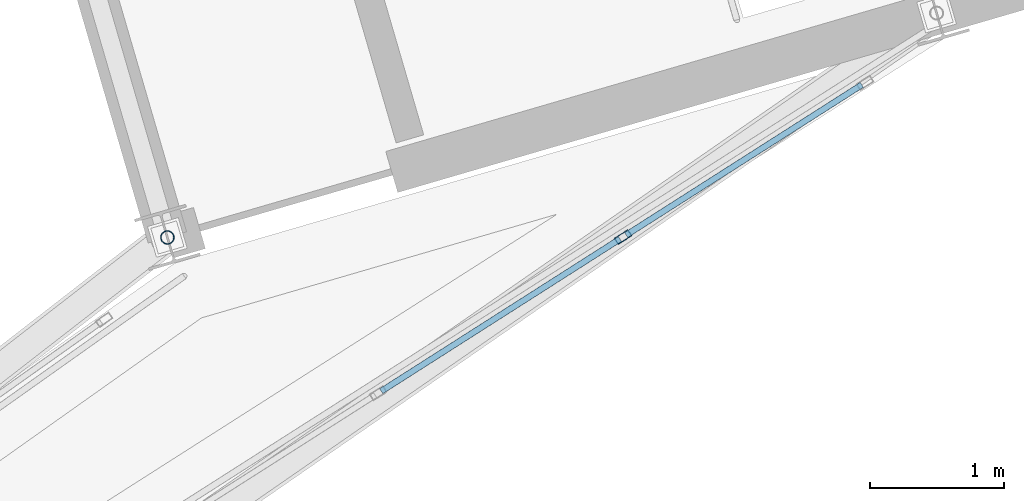
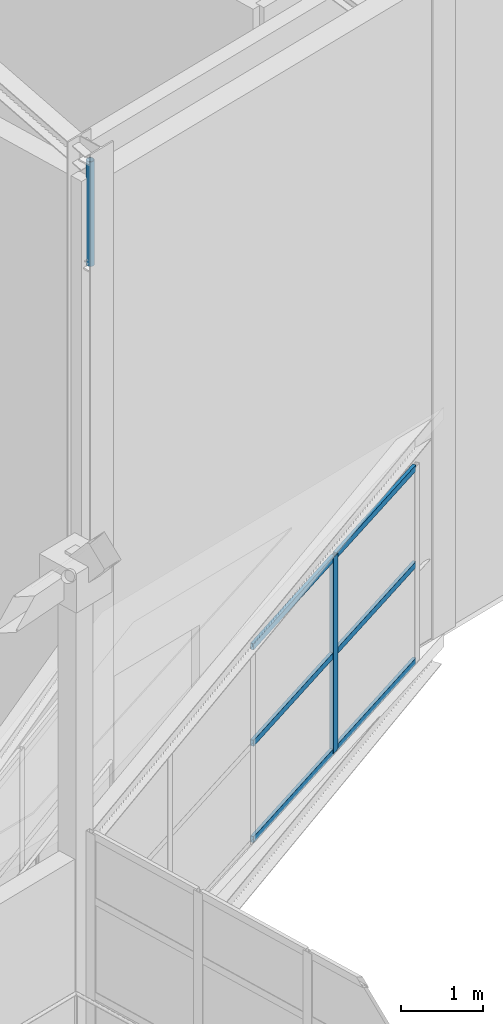
# One storey, part 133 of 248: 8 members, 1 element without a shape of its own.
"""IFC4 building model written with IfcOpenShell, lengths in metres."""

from ifc_helpers import new_model, si_unit, direction, frame, origin, origin_2d, place, context, subcontext, project, spatial, hollow_rectangle, hollow_circle, extrude, material, layer, layer_set, material_profile, profile_set, type_object, element, aggregate, save


model = new_model("IFC4")

# Units and contexts
model_context = context("Model", 3, precision=1e-05, world=origin(), true_north=direction((0.0, 1.0)))
body_context = subcontext(model_context, "Body", "Model", "MODEL_VIEW")
ifc_project = project(units=[si_unit("LENGTHUNIT", "METRE"), si_unit("AREAUNIT", "SQUARE_METRE"), si_unit("VOLUMEUNIT", "CUBIC_METRE"), si_unit("PLANEANGLEUNIT", "RADIAN"), si_unit("MASSUNIT", "GRAM", prefix="KILO")], contexts=[model_context])

# Site, building, storey
site_placement = place(None, origin())
site = spatial("IfcSite", under=ifc_project, at=site_placement, CompositionType="ELEMENT")
building_placement = place(site_placement, origin())
building = spatial("IfcBuilding", under=site, at=building_placement, Name="Canggui Botanical Conservatory", CompositionType="ELEMENT")
storey_placement = place(building_placement, frame((0.0, 0.0, 5.39990234375)))
storey = spatial("IfcBuildingStorey", under=building, at=storey_placement, Name="L02", CompositionType="ELEMENT", Elevation=5.39990234375)

# Curtain wall, members
ifc_material_1 = material(Name="Thermally Broken Aluminium", Category="aluminium")
ifc_layer = layer(ifc_material_1, 0.1201171875, Name="Thermally Broken Aluminium", Category="aluminium")
ifc_layer_set = layer_set([ifc_layer], Name="Thermally Broken Aluminium")
curtain_wall_type = type_object("IfcCurtainWallType", Name="CW-STICK-B", PredefinedType="USERDEFINED", material=ifc_layer_set)
curtain_wall_placement = place(storey_placement, origin())
curtain_wall = element("IfcCurtainWall", 1, at=curtain_wall_placement, inside=storey, type_object=curtain_wall_type, Name="Facade Curtain Wall CW-SB-03-2", ObjectType="STICK GLAZED WALL", PredefinedType="USERDEFINED")
ifc_material_profile_1 = material_profile(ifc_material_1, hollow_rectangle(XDim=0.054931640625, YDim=0.1201171875, WallThickness=0.0029296875, at=origin_2d()), Name="CWM 55x120x3")
ifc_profile_set_1 = profile_set([ifc_material_profile_1], Name="Thermally Broken Aluminium")
member_type_1 = type_object("IfcMemberType", Name="CWM-05", PredefinedType="MULLION", material=ifc_profile_set_1)
member_1_placement = place(storey_placement, frame((69.412353515625, 90.0029296875, 0.0), z_axis=(0.0, 0.0, 1.0), x_axis=(-0.537600449716, 0.843199713274, 0.0)))
member_1 = element("IfcMember", 2, at=member_1_placement, type_object=member_type_1, Name="CW-05 mullion 4", PredefinedType="MULLION", context=body_context, shape_type="SweptSolid", body=[
    extrude(hollow_rectangle(XDim=0.054931640625, YDim=0.1201171875, WallThickness=0.0029296875, at=origin_2d()), origin(), (0.0, 0.0, 1.0), 2.900146484375),
])
ifc_material_profile_2 = material_profile(ifc_material_1, hollow_rectangle(XDim=0.044921875, YDim=0.090087890625, WallThickness=0.0029296875, at=origin_2d()), Name="CWT 45x90x3")
ifc_profile_set_2 = profile_set([ifc_material_profile_2], Name="Thermally Broken Aluminium")
member_type_2 = type_object("IfcMemberType", Name="CWT-05", PredefinedType="USERDEFINED", material=ifc_profile_set_2)
member_2_placement = place(storey_placement, frame((67.601806640625, 88.8486328125, 0.022705078125), z_axis=(0.843182167425, 0.537627968521, 0.0), x_axis=(-0.537627968521, 0.843182167425, 0.0)))
member_2 = element("IfcMember", 3, at=member_2_placement, type_object=member_type_2, Name="CW-05 transom 3.1", ObjectType="TRANSOM", PredefinedType="USERDEFINED", context=body_context, shape_type="SweptSolid", body=[
    extrude(hollow_rectangle(XDim=0.044921875, YDim=0.090087890625, WallThickness=0.0029296875, at=origin_2d()), origin(), (0.0, 0.0, 1.0), 2.119873046875),
])
member_3_placement = place(storey_placement, frame((67.601806640625, 88.8486328125, 1.4501953125), z_axis=(0.843182167425, 0.537627968521, 0.0), x_axis=(-0.537627968521, 0.843182167425, 0.0)))
member_3 = element("IfcMember", 4, at=member_3_placement, type_object=member_type_2, Name="CW-05 transom 3.2", ObjectType="TRANSOM", PredefinedType="USERDEFINED", context=body_context, shape_type="SweptSolid", body=[
    extrude(hollow_rectangle(XDim=0.044921875, YDim=0.090087890625, WallThickness=0.0029296875, at=origin_2d()), origin(), (0.0, 0.0, 1.0), 2.119873046875),
])
member_4_placement = place(storey_placement, frame((67.601806640625, 88.8486328125, 2.877685546875), z_axis=(0.843182167425, 0.537627968521, 0.0), x_axis=(-0.537627968521, 0.843182167425, 0.0)))
member_4 = element("IfcMember", 5, at=member_4_placement, type_object=member_type_2, Name="CW-05 transom 3.3", ObjectType="TRANSOM", PredefinedType="USERDEFINED", context=body_context, shape_type="SweptSolid", body=[
    extrude(hollow_rectangle(XDim=0.044921875, YDim=0.090087890625, WallThickness=0.0029296875, at=origin_2d()), origin(), (0.0, 0.0, 1.0), 2.119873046875),
])
member_5_placement = place(storey_placement, frame((69.435546875, 90.017822265625, 0.022705078125), z_axis=(0.843185548398, 0.537622665977, 0.0), x_axis=(-0.537622665977, 0.843185548398, 0.0)))
member_5 = element("IfcMember", 6, at=member_5_placement, type_object=member_type_2, Name="CW-05 transom 4.1", ObjectType="TRANSOM", PredefinedType="USERDEFINED", context=body_context, shape_type="SweptSolid", body=[
    extrude(hollow_rectangle(XDim=0.044921875, YDim=0.090087890625, WallThickness=0.0029296875, at=origin_2d()), origin(), (0.0, 0.0, 1.0), 2.092529296875),
])
member_6_placement = place(storey_placement, frame((69.435546875, 90.017822265625, 1.4501953125), z_axis=(0.843185548398, 0.537622665977, 0.0), x_axis=(-0.537622665977, 0.843185548398, 0.0)))
member_6 = element("IfcMember", 7, at=member_6_placement, type_object=member_type_2, Name="CW-05 transom 4.2", ObjectType="TRANSOM", PredefinedType="USERDEFINED", context=body_context, shape_type="SweptSolid", body=[
    extrude(hollow_rectangle(XDim=0.044921875, YDim=0.090087890625, WallThickness=0.0029296875, at=origin_2d()), origin(), (0.0, 0.0, 1.0), 2.092529296875),
])
member_7_placement = place(storey_placement, frame((69.435546875, 90.017822265625, 2.877685546875), z_axis=(0.843185548398, 0.537622665977, 0.0), x_axis=(-0.537622665977, 0.843185548398, 0.0)))
member_7 = element("IfcMember", 8, at=member_7_placement, type_object=member_type_2, Name="CW-05 transom 4.3", ObjectType="TRANSOM", PredefinedType="USERDEFINED", context=body_context, shape_type="SweptSolid", body=[
    extrude(hollow_rectangle(XDim=0.044921875, YDim=0.090087890625, WallThickness=0.0029296875, at=origin_2d()), origin(), (0.0, 0.0, 1.0), 2.092529296875),
])
aggregate(curtain_wall, [member_1, member_2, member_3, member_4, member_5, member_6, member_7])

# Member
ifc_material_2 = material(Name="Steel Q355B", Category="steel")
ifc_material_profile_3 = material_profile(ifc_material_2, hollow_circle(Radius=0.051025390625, WallThickness=0.0048828125, at=origin_2d()), Name="CHS 102x5")
ifc_profile_set_3 = profile_set([ifc_material_profile_3], Name="Steel Q355B")
member_type_3 = type_object("IfcMemberType", Name="MEM-TW04", PredefinedType="BRACE", material=ifc_profile_set_3)
member_8_placement = place(storey_placement, frame((66.0, 90.0, 8.400146484375), z_axis=(0.0, 0.0, 1.0), x_axis=(1.0, 0.0, 0.0)))
element("IfcMember", 9, at=member_8_placement, inside=storey, type_object=member_type_3, Name="Auditorium Truss AT-01 Vertical Post 1", PredefinedType="BRACE", context=body_context, shape_type="SweptSolid", body=[
    extrude(hollow_circle(Radius=0.051025390625, WallThickness=0.0048828125, at=origin_2d()), origin(), (0.0, 0.0, 1.0), 1.550048828125),
])

save(model, "model.ifc")
